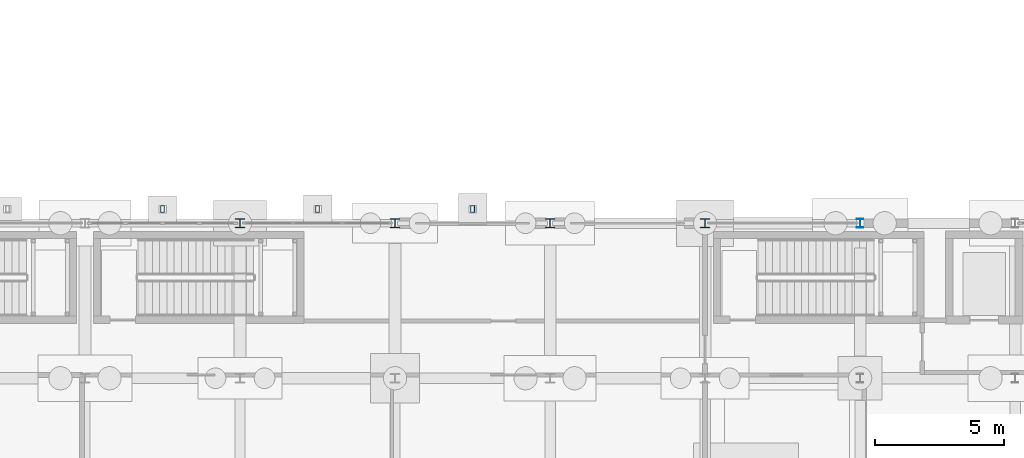
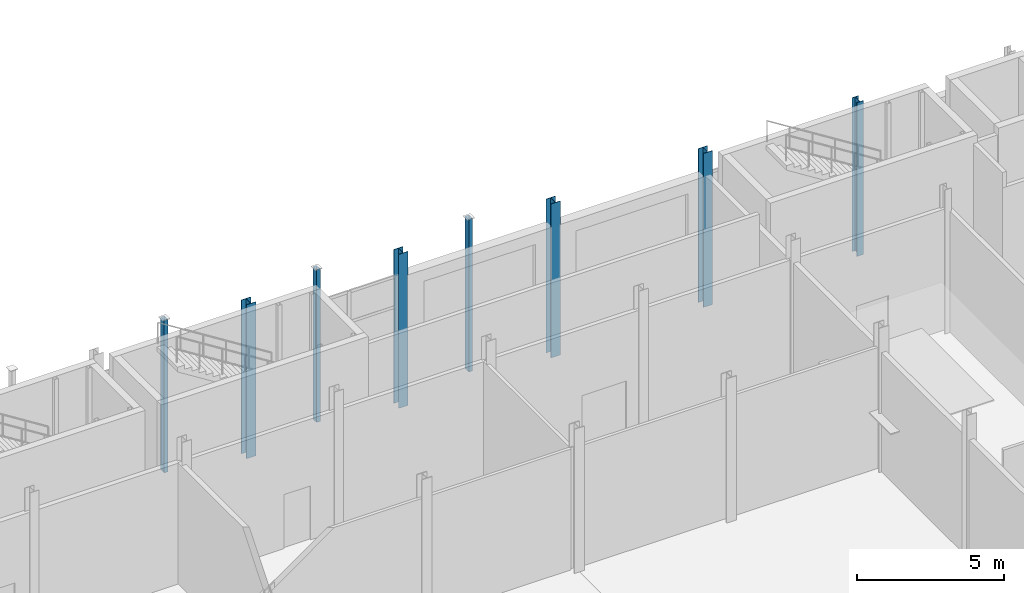
# One storey, part 20 of 120: 8 columns.
"""IFC4 building model written with IfcOpenShell, lengths in metres."""

import ifcopenshell
import ifcopenshell.guid

model = None  # the IFC model being written
_history = None  # IfcOwnerHistory: only IFC2X3 demands one
_inside = {}  # id of a spatial element -> (the spatial element, [elements in it])
_under = {}  # id of a project, library or spatial element -> (it, [spatial elements below it])
_declared = {}  # id of a project -> (the project, [libraries it declares])
_typed = {}  # id of a type object -> (the type object, [elements of that type])
_made_of = {}  # id of a material, layer set ... -> (it, [elements and type objects made of it])


def new_model(schema):
    """Start an empty IFC model of exactly this schema.

    Asked for "IFC4X3", IfcOpenShell would pick the latest addendum, in which some entities
    have other attributes; the version numbers below select the first issue.
    IFC2X3 requires an IfcOwnerHistory on every rooted entity: one is made here for all.
    """
    global model, _history
    if schema == "IFC4X3":
        model = ifcopenshell.file(schema_version=(4, 3, 0, 0))
    else:
        model = ifcopenshell.file(schema=schema)
    _inside.clear()
    _under.clear()
    _declared.clear()
    _typed.clear()
    _made_of.clear()
    _history = None
    if model.schema == "IFC2X3":
        org = make("IfcOrganization", Name="unknown")
        user = make(
            "IfcPersonAndOrganization",
            ThePerson=make("IfcPerson", FamilyName="unknown"),
            TheOrganization=org,
        )
        app = make(
            "IfcApplication",
            ApplicationDeveloper=org,
            Version="unknown",
            ApplicationFullName="unknown",
            ApplicationIdentifier="unknown",
        )
        _history = make(
            "IfcOwnerHistory",
            OwningUser=user,
            OwningApplication=app,
            ChangeAction="ADDED",
            CreationDate=0,
        )
    return model


def make(cls, **values):
    """One entity of the class cls with the attributes given. An attribute that is None is left unset."""
    return model.create_entity(
        cls, **{name: value for name, value in values.items() if value is not None}
    )


def rooted(cls, **values):
    """An entity with a GlobalId (a new one), such as an element, a storey or a relation."""
    return make(cls, GlobalId=ifcopenshell.guid.new(), OwnerHistory=_history, **values)


def si_unit(unit_type, name, prefix=None):
    """IfcSIUnit, for example si_unit("LENGTHUNIT", "METRE", prefix="MILLI")."""
    return make("IfcSIUnit", UnitType=unit_type, Prefix=prefix, Name=name)


def assignment(units):
    """IfcUnitAssignment: the units of a project."""
    return None if units is None else make("IfcUnitAssignment", Units=units)


def point(xyz):
    """IfcCartesianPoint."""
    return None if xyz is None else make("IfcCartesianPoint", Coordinates=xyz)


def direction(xyz):
    """IfcDirection."""
    return None if xyz is None else make("IfcDirection", DirectionRatios=xyz)


def frame(location, z_axis=None, x_axis=None):
    """IfcAxis2Placement3D, a coordinate frame: its origin and axes. An axis left out is left unset."""
    return make(
        "IfcAxis2Placement3D",
        Location=point(location),
        Axis=direction(z_axis),
        RefDirection=direction(x_axis),
    )


def frame_2d(location, x_axis=None):
    """IfcAxis2Placement2D, a coordinate frame in the plane: its origin and x axis."""
    return make(
        "IfcAxis2Placement2D", Location=point(location), RefDirection=direction(x_axis)
    )


def origin():
    """The frame at (0, 0, 0) with its axes left unset."""
    return frame((0.0, 0.0, 0.0))


def origin_2d():
    """The frame at (0, 0) in the plane with its x axis left unset."""
    return frame_2d((0.0, 0.0))


def place(relative_to, where):
    """IfcLocalPlacement: puts the frame where relative to a parent placement (None: the world)."""
    return make(
        "IfcLocalPlacement", PlacementRelTo=relative_to, RelativePlacement=where
    )


def context(
    kind, dimensions, precision=None, world=None, true_north=None, identifier=None
):
    """IfcGeometricRepresentationContext, for example the 3D "Model" context."""
    return make(
        "IfcGeometricRepresentationContext",
        ContextIdentifier=identifier,
        ContextType=kind,
        CoordinateSpaceDimension=dimensions,
        Precision=precision,
        WorldCoordinateSystem=world,
        TrueNorth=true_north,
    )


def subcontext(parent, identifier, kind, view, scale=None):
    """IfcGeometricRepresentationSubContext, for example "Body" below "Model"."""
    return make(
        "IfcGeometricRepresentationSubContext",
        ContextIdentifier=identifier,
        ContextType=kind,
        ParentContext=parent,
        TargetScale=scale,
        TargetView=view,
    )


def project(units=None, contexts=None):
    """IfcProject with its units and contexts."""
    return rooted(
        "IfcProject",
        Name="project",
        RepresentationContexts=contexts,
        UnitsInContext=assignment(units),
    )


def spatial(cls, under=None, at=None, **own):
    """A site, building, storey or space (cls), placed at a placement, below another one or the project."""
    s = rooted(cls, ObjectPlacement=at, **own)
    if under is not None:
        _under.setdefault(under.id(), (under, []))[1].append(s)
    return s


def profile(cls, at=None, kind="AREA", **sizes):
    """A parametric profile (cls). Its sizes go by their IFC names, for example OverallWidth=200.0."""
    return make(cls, ProfileType=kind, Position=at, **sizes)


def hollow_rectangle(**sizes):
    """IfcRectangleHollowProfileDef."""
    return profile("IfcRectangleHollowProfileDef", **sizes)


def i_section(**sizes):
    """IfcIShapeProfileDef."""
    return profile("IfcIShapeProfileDef", **sizes)


def extrude(swept, where, along, depth):
    """IfcExtrudedAreaSolid: the profile swept, set in the frame where, extruded along a direction by depth."""
    return make(
        "IfcExtrudedAreaSolid",
        SweptArea=swept,
        Position=where,
        ExtrudedDirection=direction(along),
        Depth=depth,
    )


def shape(context_of_items, identifier, shape_type, items):
    """IfcShapeRepresentation: the items that make up one representation, for example the "Body"."""
    return make(
        "IfcShapeRepresentation",
        ContextOfItems=context_of_items,
        RepresentationIdentifier=identifier,
        RepresentationType=shape_type,
        Items=items,
    )


def material(Name=None, Category=None):
    """IfcMaterial."""
    return make("IfcMaterial", Name=Name, Category=Category)


def material_profile(
    of_material, cross_section, Name=None, Category=None, Priority=None
):
    """IfcMaterialProfile: a cross section and its material."""
    return make(
        "IfcMaterialProfile",
        Name=Name,
        Material=of_material,
        Profile=cross_section,
        Priority=Priority,
        Category=Category,
    )


def profile_set(profiles, Name=None, composite=None):
    """IfcMaterialProfileSet."""
    return make(
        "IfcMaterialProfileSet",
        Name=Name,
        MaterialProfiles=profiles,
        CompositeProfile=composite,
    )


def made_of(thing, what):
    """Note that an element or type object is made of a material, layer set ...; save() writes the relation."""
    if what is not None:
        _made_of.setdefault(what.id(), (what, []))[1].append(thing)
    return thing


def type_object(cls, material=None, **own):
    """A type object (cls), such as IfcWallType, which elements share."""
    return made_of(rooted(cls, **own), material)


def element(
    cls,
    number,
    at=None,
    inside=None,
    cuts=None,
    type_object=None,
    material=None,
    context=None,
    identifier="Body",
    shape_type=None,
    held_by="IfcProductDefinitionShape",
    body=None,
    shapes=None,
    **own,
):
    """One element of the class cls, such as IfcWall. Its Tag is "e" and its number.

    at: its placement. inside: the storey or other place that contains it. cuts: it is an
    opening in that element (IfcRelVoidsElement). A single representation is given by context,
    identifier, shape_type and body (its items); several are given by shapes. held_by: the class
    of the entity that holds the representations. save() writes the other relations.
    """
    e = rooted(cls, Tag="e%d" % number, ObjectPlacement=at, **own)
    if body is not None:
        shapes = [shape(context, identifier, shape_type, body)]
    if shapes is not None:
        e.Representation = make(held_by, Representations=shapes)
    if inside is not None:
        _inside.setdefault(inside.id(), (inside, []))[1].append(e)
    if cuts is not None:
        rooted(
            "IfcRelVoidsElement", RelatingBuildingElement=cuts, RelatedOpeningElement=e
        )
    if type_object is not None:
        _typed.setdefault(type_object.id(), (type_object, []))[1].append(e)
    return made_of(e, material)


def aggregate(whole, parts):
    """IfcRelAggregates: a whole, such as a stair, and the parts it consists of."""
    return rooted("IfcRelAggregates", RelatingObject=whole, RelatedObjects=parts)


def save(model, path):
    """Write the relations noted so far, then the file.

    IfcRelAggregates (storeys below a building ...), IfcRelContainedInSpatialStructure (elements
    in a storey), IfcRelDefinesByType, IfcRelAssociatesMaterial and IfcRelDeclares: one each for
    every whole, place, type object, material and project.
    """
    for whole, parts in _under.values():
        aggregate(whole, parts)
    for where, things in _inside.values():
        rooted(
            "IfcRelContainedInSpatialStructure",
            RelatedElements=things,
            RelatingStructure=where,
        )
    for kind, things in _typed.values():
        rooted("IfcRelDefinesByType", RelatedObjects=things, RelatingType=kind)
    for what, things in _made_of.values():
        rooted("IfcRelAssociatesMaterial", RelatedObjects=things, RelatingMaterial=what)
    for by, libraries in _declared.values():
        rooted("IfcRelDeclares", RelatingContext=by, RelatedDefinitions=libraries)
    model.write(path)


model = new_model("IFC4")

# Units and contexts
model_context = context("Model", 3, precision=1e-05, world=origin(), true_north=direction((0.0, 1.0)))
body_context = subcontext(model_context, "Body", "Model", "MODEL_VIEW")
ifc_project = project(units=[si_unit("LENGTHUNIT", "METRE"), si_unit("AREAUNIT", "SQUARE_METRE"), si_unit("VOLUMEUNIT", "CUBIC_METRE"), si_unit("PLANEANGLEUNIT", "RADIAN"), si_unit("MASSUNIT", "GRAM", prefix="KILO")], contexts=[model_context])

# Site, building, storey
site_placement = place(None, origin())
site = spatial("IfcSite", under=ifc_project, at=site_placement, CompositionType="ELEMENT")
building_placement = place(site_placement, origin())
building = spatial("IfcBuilding", under=site, at=building_placement, Name="Siltcreek Boulevard Central Fire Station", CompositionType="ELEMENT")
storey_placement = place(building_placement, origin())
storey = spatial("IfcBuildingStorey", under=building, at=storey_placement, Name="L01", CompositionType="ELEMENT", Elevation=0.0)

# Columns
ifc_material_1 = material(Name="Structural steel ASTM A992 Gr50", Category="steel")
ifc_material_profile_1 = material_profile(ifc_material_1, i_section(OverallWidth=0.368896484375, OverallDepth=0.35595703125, WebThickness=0.01123046875, FlangeThickness=0.01806640625, at=origin_2d()), Name="W360X134")
ifc_profile_set_1 = profile_set([ifc_material_profile_1], Name="Structural steel ASTM A992 Gr50")
column_type_1 = type_object("IfcColumnType", Name="COL_W360X134", PredefinedType="COLUMN", material=ifc_profile_set_1)
for number, where, z_axis, x_axis, name in (
    (1, (72.0, 54.0, -0.409912109375), (0.0, 0.0, 1.0), (1.0, 0.0, 0.0), "L01 structural column COLG-L01-720-540"),
    (2, (78.0, 54.0, -0.409912109375), (0.0, 0.0, 1.0), (1.0, 0.0, 0.0), "L01 structural column COLG-L01-780-540"),
    (3, (84.0, 54.0, -0.409912109375), (0.0, 0.0, 1.0), (1.0, 0.0, 0.0), "L01 structural column COLG-L01-840-540"),
    (4, (90.0, 54.0, -0.409912109375), (0.0, 0.0, 1.0), (1.0, 0.0, 0.0), "L01 structural column COLG-L01-900-540"),
):
    element("IfcColumn", number, at=place(storey_placement, frame(where, z_axis=z_axis, x_axis=x_axis)), inside=storey, type_object=column_type_1, Name=name, PredefinedType="COLUMN", context=body_context, shape_type="SweptSolid", body=[
        extrude(i_section(OverallWidth=0.368896484375, OverallDepth=0.35595703125, WebThickness=0.01123046875, FlangeThickness=0.01806640625, at=origin_2d()), origin(), (0.0, 0.0, 1.0), 6.409912109375),
    ])
ifc_material_profile_2 = material_profile(ifc_material_1, i_section(OverallWidth=0.25390625, OverallDepth=0.35302734375, WebThickness=0.009521484375, FlangeThickness=0.016357421875, at=origin_2d()), Name="W360X91")
ifc_profile_set_2 = profile_set([ifc_material_profile_2], Name="Structural steel ASTM A992 Gr50")
column_type_2 = type_object("IfcColumnType", Name="COL_W360X91", PredefinedType="COLUMN", material=ifc_profile_set_2)
column_placement = place(storey_placement, frame((96.0, 54.0, -0.409912109375), z_axis=(0.0, 0.0, 1.0), x_axis=(1.0, 0.0, 0.0)))
element("IfcColumn", 5, at=column_placement, inside=storey, type_object=column_type_2, Name="L01 structural column COLG-L01-960-540", PredefinedType="COLUMN", context=body_context, shape_type="SweptSolid", body=[
    extrude(i_section(OverallWidth=0.25390625, OverallDepth=0.35302734375, WebThickness=0.009521484375, FlangeThickness=0.016357421875, at=origin_2d()), origin(), (0.0, 0.0, 1.0), 6.409912109375),
])
ifc_material_2 = material(Name="Structural steel ASTM A500 GrC", Category="steel")
ifc_material_profile_3 = material_profile(ifc_material_2, hollow_rectangle(XDim=0.14990234375, YDim=0.25, WallThickness=0.008056640625, at=origin_2d()), Name="HSS250X150X8.0")
ifc_profile_set_3 = profile_set([ifc_material_profile_3], Name="Structural steel ASTM A500 GrC")
column_type_3 = type_object("IfcColumnType", Name="PIL_HSS250X150", PredefinedType="PILASTER", material=ifc_profile_set_3)
for number, where, z_axis, x_axis, name in (
    (6, (69.0, 54.550048828125, -0.35009765625), (0.0, 0.0, 1.0), (1.0, 0.0, 0.0), "Terracotta pier pilaster column PL-07"),
    (7, (75.0, 54.550048828125, -0.35009765625), (0.0, 0.0, 1.0), (1.0, 0.0, 0.0), "Terracotta pier pilaster column PL-08"),
    (8, (81.0, 54.550048828125, -0.35009765625), (0.0, 0.0, 1.0), (1.0, 0.0, 0.0), "Terracotta pier pilaster column PL-09"),
):
    element("IfcColumn", number, at=place(storey_placement, frame(where, z_axis=z_axis, x_axis=x_axis)), inside=storey, type_object=column_type_3, Name=name, PredefinedType="PILASTER", context=body_context, shape_type="SweptSolid", body=[
        extrude(hollow_rectangle(XDim=0.14990234375, YDim=0.25, WallThickness=0.008056640625, at=origin_2d()), origin(), (0.0, 0.0, 1.0), 6.35009765625),
    ])

save(model, "model.ifc")
